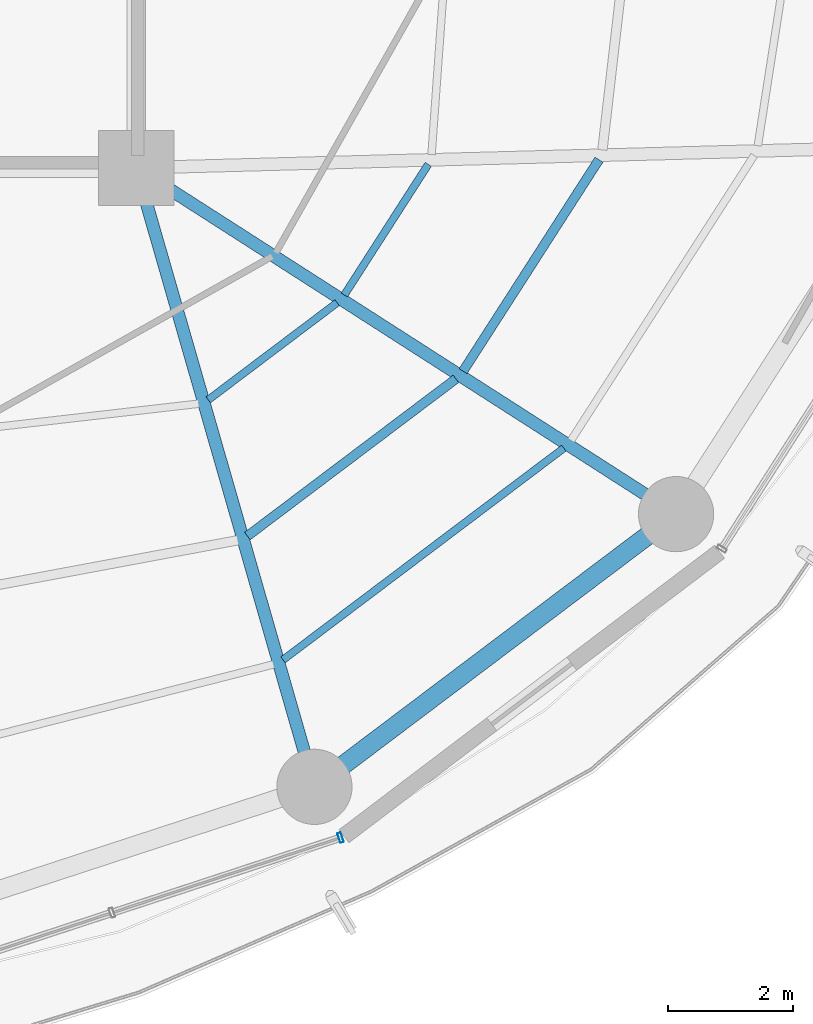
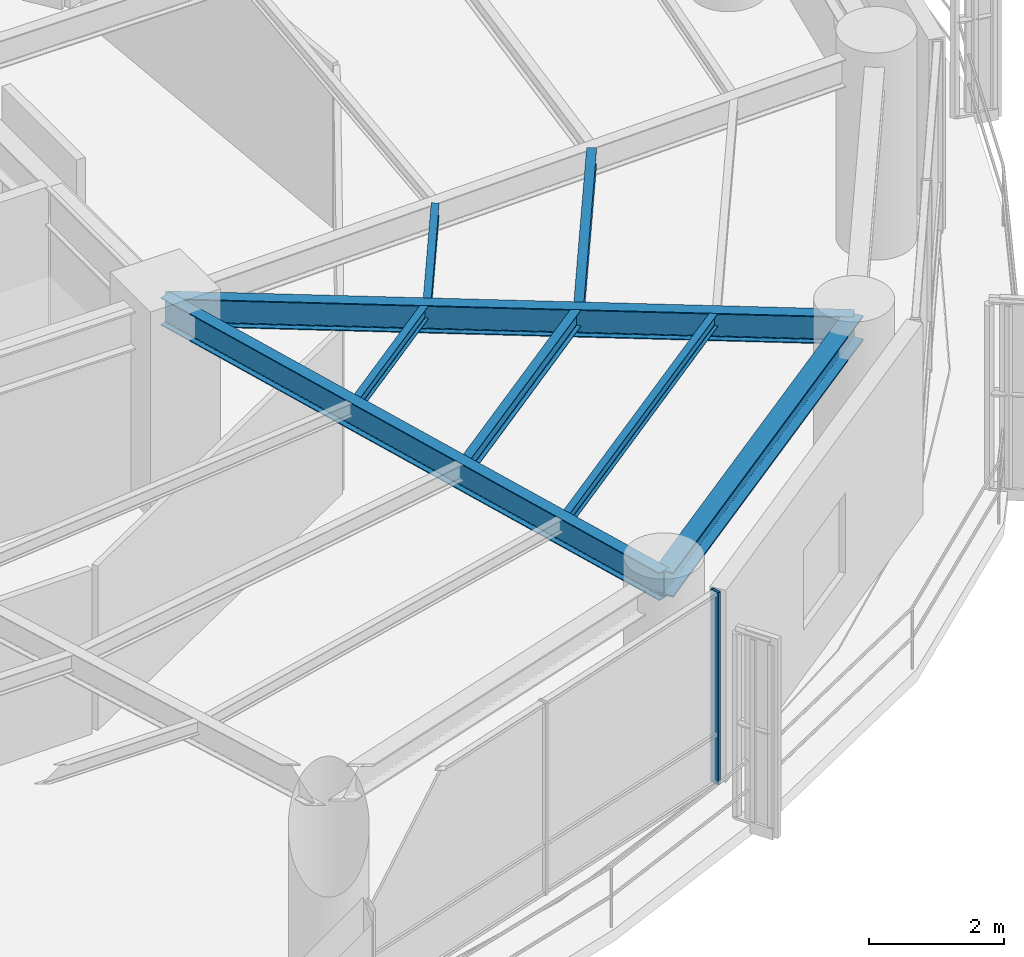
# One storey, part 10 of 27: 8 beams, 1 member, 1 element without a shape of its own.
"""IFC4 building model written with IfcOpenShell, lengths in metres."""

import ifcopenshell
import ifcopenshell.guid

model = None  # the IFC model being written
_history = None  # IfcOwnerHistory: only IFC2X3 demands one
_inside = {}  # id of a spatial element -> (the spatial element, [elements in it])
_under = {}  # id of a project, library or spatial element -> (it, [spatial elements below it])
_declared = {}  # id of a project -> (the project, [libraries it declares])
_typed = {}  # id of a type object -> (the type object, [elements of that type])
_made_of = {}  # id of a material, layer set ... -> (it, [elements and type objects made of it])


def new_model(schema):
    """Start an empty IFC model of exactly this schema.

    Asked for "IFC4X3", IfcOpenShell would pick the latest addendum, in which some entities
    have other attributes; the version numbers below select the first issue.
    IFC2X3 requires an IfcOwnerHistory on every rooted entity: one is made here for all.
    """
    global model, _history
    if schema == "IFC4X3":
        model = ifcopenshell.file(schema_version=(4, 3, 0, 0))
    else:
        model = ifcopenshell.file(schema=schema)
    _inside.clear()
    _under.clear()
    _declared.clear()
    _typed.clear()
    _made_of.clear()
    _history = None
    if model.schema == "IFC2X3":
        org = make("IfcOrganization", Name="unknown")
        user = make(
            "IfcPersonAndOrganization",
            ThePerson=make("IfcPerson", FamilyName="unknown"),
            TheOrganization=org,
        )
        app = make(
            "IfcApplication",
            ApplicationDeveloper=org,
            Version="unknown",
            ApplicationFullName="unknown",
            ApplicationIdentifier="unknown",
        )
        _history = make(
            "IfcOwnerHistory",
            OwningUser=user,
            OwningApplication=app,
            ChangeAction="ADDED",
            CreationDate=0,
        )
    return model


def make(cls, **values):
    """One entity of the class cls with the attributes given. An attribute that is None is left unset."""
    return model.create_entity(
        cls, **{name: value for name, value in values.items() if value is not None}
    )


def rooted(cls, **values):
    """An entity with a GlobalId (a new one), such as an element, a storey or a relation."""
    return make(cls, GlobalId=ifcopenshell.guid.new(), OwnerHistory=_history, **values)


def si_unit(unit_type, name, prefix=None):
    """IfcSIUnit, for example si_unit("LENGTHUNIT", "METRE", prefix="MILLI")."""
    return make("IfcSIUnit", UnitType=unit_type, Prefix=prefix, Name=name)


def assignment(units):
    """IfcUnitAssignment: the units of a project."""
    return None if units is None else make("IfcUnitAssignment", Units=units)


def point(xyz):
    """IfcCartesianPoint."""
    return None if xyz is None else make("IfcCartesianPoint", Coordinates=xyz)


def direction(xyz):
    """IfcDirection."""
    return None if xyz is None else make("IfcDirection", DirectionRatios=xyz)


def frame(location, z_axis=None, x_axis=None):
    """IfcAxis2Placement3D, a coordinate frame: its origin and axes. An axis left out is left unset."""
    return make(
        "IfcAxis2Placement3D",
        Location=point(location),
        Axis=direction(z_axis),
        RefDirection=direction(x_axis),
    )


def frame_2d(location, x_axis=None):
    """IfcAxis2Placement2D, a coordinate frame in the plane: its origin and x axis."""
    return make(
        "IfcAxis2Placement2D", Location=point(location), RefDirection=direction(x_axis)
    )


def origin():
    """The frame at (0, 0, 0) with its axes left unset."""
    return frame((0.0, 0.0, 0.0))


def origin_2d():
    """The frame at (0, 0) in the plane with its x axis left unset."""
    return frame_2d((0.0, 0.0))


def place(relative_to, where):
    """IfcLocalPlacement: puts the frame where relative to a parent placement (None: the world)."""
    return make(
        "IfcLocalPlacement", PlacementRelTo=relative_to, RelativePlacement=where
    )


def context(
    kind, dimensions, precision=None, world=None, true_north=None, identifier=None
):
    """IfcGeometricRepresentationContext, for example the 3D "Model" context."""
    return make(
        "IfcGeometricRepresentationContext",
        ContextIdentifier=identifier,
        ContextType=kind,
        CoordinateSpaceDimension=dimensions,
        Precision=precision,
        WorldCoordinateSystem=world,
        TrueNorth=true_north,
    )


def subcontext(parent, identifier, kind, view, scale=None):
    """IfcGeometricRepresentationSubContext, for example "Body" below "Model"."""
    return make(
        "IfcGeometricRepresentationSubContext",
        ContextIdentifier=identifier,
        ContextType=kind,
        ParentContext=parent,
        TargetScale=scale,
        TargetView=view,
    )


def project(units=None, contexts=None):
    """IfcProject with its units and contexts."""
    return rooted(
        "IfcProject",
        Name="project",
        RepresentationContexts=contexts,
        UnitsInContext=assignment(units),
    )


def spatial(cls, under=None, at=None, **own):
    """A site, building, storey or space (cls), placed at a placement, below another one or the project."""
    s = rooted(cls, ObjectPlacement=at, **own)
    if under is not None:
        _under.setdefault(under.id(), (under, []))[1].append(s)
    return s


def profile(cls, at=None, kind="AREA", **sizes):
    """A parametric profile (cls). Its sizes go by their IFC names, for example OverallWidth=200.0."""
    return make(cls, ProfileType=kind, Position=at, **sizes)


def hollow_rectangle(**sizes):
    """IfcRectangleHollowProfileDef."""
    return profile("IfcRectangleHollowProfileDef", **sizes)


def i_section(**sizes):
    """IfcIShapeProfileDef."""
    return profile("IfcIShapeProfileDef", **sizes)


def extrude(swept, where, along, depth):
    """IfcExtrudedAreaSolid: the profile swept, set in the frame where, extruded along a direction by depth."""
    return make(
        "IfcExtrudedAreaSolid",
        SweptArea=swept,
        Position=where,
        ExtrudedDirection=direction(along),
        Depth=depth,
    )


def shape(context_of_items, identifier, shape_type, items):
    """IfcShapeRepresentation: the items that make up one representation, for example the "Body"."""
    return make(
        "IfcShapeRepresentation",
        ContextOfItems=context_of_items,
        RepresentationIdentifier=identifier,
        RepresentationType=shape_type,
        Items=items,
    )


def material(Name=None, Category=None):
    """IfcMaterial."""
    return make("IfcMaterial", Name=Name, Category=Category)


def layer(
    of_material, thickness, ventilated=None, Name=None, Category=None, Priority=None
):
    """IfcMaterialLayer: one layer of a wall or slab, of a material (None: an air gap)."""
    return make(
        "IfcMaterialLayer",
        Material=of_material,
        LayerThickness=thickness,
        IsVentilated=ventilated,
        Name=Name,
        Category=Category,
        Priority=Priority,
    )


def layer_set(layers, Name=None):
    """IfcMaterialLayerSet."""
    return make("IfcMaterialLayerSet", MaterialLayers=layers, LayerSetName=Name)


def material_profile(
    of_material, cross_section, Name=None, Category=None, Priority=None
):
    """IfcMaterialProfile: a cross section and its material."""
    return make(
        "IfcMaterialProfile",
        Name=Name,
        Material=of_material,
        Profile=cross_section,
        Priority=Priority,
        Category=Category,
    )


def profile_set(profiles, Name=None, composite=None):
    """IfcMaterialProfileSet."""
    return make(
        "IfcMaterialProfileSet",
        Name=Name,
        MaterialProfiles=profiles,
        CompositeProfile=composite,
    )


def made_of(thing, what):
    """Note that an element or type object is made of a material, layer set ...; save() writes the relation."""
    if what is not None:
        _made_of.setdefault(what.id(), (what, []))[1].append(thing)
    return thing


def type_object(cls, material=None, **own):
    """A type object (cls), such as IfcWallType, which elements share."""
    return made_of(rooted(cls, **own), material)


def element(
    cls,
    number,
    at=None,
    inside=None,
    cuts=None,
    type_object=None,
    material=None,
    context=None,
    identifier="Body",
    shape_type=None,
    held_by="IfcProductDefinitionShape",
    body=None,
    shapes=None,
    **own,
):
    """One element of the class cls, such as IfcWall. Its Tag is "e" and its number.

    at: its placement. inside: the storey or other place that contains it. cuts: it is an
    opening in that element (IfcRelVoidsElement). A single representation is given by context,
    identifier, shape_type and body (its items); several are given by shapes. held_by: the class
    of the entity that holds the representations. save() writes the other relations.
    """
    e = rooted(cls, Tag="e%d" % number, ObjectPlacement=at, **own)
    if body is not None:
        shapes = [shape(context, identifier, shape_type, body)]
    if shapes is not None:
        e.Representation = make(held_by, Representations=shapes)
    if inside is not None:
        _inside.setdefault(inside.id(), (inside, []))[1].append(e)
    if cuts is not None:
        rooted(
            "IfcRelVoidsElement", RelatingBuildingElement=cuts, RelatedOpeningElement=e
        )
    if type_object is not None:
        _typed.setdefault(type_object.id(), (type_object, []))[1].append(e)
    return made_of(e, material)


def aggregate(whole, parts):
    """IfcRelAggregates: a whole, such as a stair, and the parts it consists of."""
    return rooted("IfcRelAggregates", RelatingObject=whole, RelatedObjects=parts)


def save(model, path):
    """Write the relations noted so far, then the file.

    IfcRelAggregates (storeys below a building ...), IfcRelContainedInSpatialStructure (elements
    in a storey), IfcRelDefinesByType, IfcRelAssociatesMaterial and IfcRelDeclares: one each for
    every whole, place, type object, material and project.
    """
    for whole, parts in _under.values():
        aggregate(whole, parts)
    for where, things in _inside.values():
        rooted(
            "IfcRelContainedInSpatialStructure",
            RelatedElements=things,
            RelatingStructure=where,
        )
    for kind, things in _typed.values():
        rooted("IfcRelDefinesByType", RelatedObjects=things, RelatingType=kind)
    for what, things in _made_of.values():
        rooted("IfcRelAssociatesMaterial", RelatedObjects=things, RelatingMaterial=what)
    for by, libraries in _declared.values():
        rooted("IfcRelDeclares", RelatingContext=by, RelatedDefinitions=libraries)
    model.write(path)


model = new_model("IFC4")

# Units and contexts
model_context = context("Model", 3, precision=1e-05, world=origin(), true_north=direction((0.0, 1.0)))
body_context = subcontext(model_context, "Body", "Model", "MODEL_VIEW")
ifc_project = project(units=[si_unit("LENGTHUNIT", "METRE"), si_unit("AREAUNIT", "SQUARE_METRE"), si_unit("VOLUMEUNIT", "CUBIC_METRE"), si_unit("PLANEANGLEUNIT", "RADIAN"), si_unit("MASSUNIT", "GRAM", prefix="KILO")], contexts=[model_context])

# Site, building, storey
site_placement = place(None, origin())
site = spatial("IfcSite", under=ifc_project, at=site_placement, CompositionType="ELEMENT")
building_placement = place(site_placement, origin())
building = spatial("IfcBuilding", under=site, at=building_placement, Name="Kelanora Arch Commons", CompositionType="ELEMENT")
storey_placement = place(building_placement, frame((0.0, 0.0, 169.35009765625)))
storey = spatial("IfcBuildingStorey", under=building, at=storey_placement, Name="L43", CompositionType="ELEMENT", Elevation=169.35009765625)

# Beams
ifc_material_1 = material(Name="Steel S355", Category="steel")
ifc_material_profile_1 = material_profile(ifc_material_1, i_section(OverallWidth=0.14990234375, OverallDepth=0.300048828125, WebThickness=0.007080078125, FlangeThickness=0.0107421875, FilletRadius=0.014892578125, at=origin_2d()), Name="IPE300")
ifc_profile_set_1 = profile_set([ifc_material_profile_1], Name="Steel S355")
beam_type_1 = type_object("IfcBeamType", Name="BM-JST-01", PredefinedType="JOIST", material=ifc_profile_set_1)
beam_1_placement = place(storey_placement, frame((83.77197265625, 45.129150390625, 3.33984375), z_axis=(0.798463547891, 0.602043156833, 0.0), x_axis=(-0.602043156833, 0.798463547891, 0.0)))
element("IfcBeam", 1, at=beam_1_placement, inside=storey, type_object=beam_type_1, Name="Secondary Chord Joist BJB-30 L43", PredefinedType="JOIST", context=body_context, shape_type="SweptSolid", body=[
    extrude(i_section(OverallWidth=0.14990234375, OverallDepth=0.300048828125, WebThickness=0.007080078125, FlangeThickness=0.0107421875, FilletRadius=0.014892578125, at=origin_2d()), origin(), (0.0, 0.0, 1.0), 4.163818359375),
])
beam_2_placement = place(storey_placement, frame((87.210693359375, 47.758544921875, 3.33984375), z_axis=(0.540594434398, 0.841283339606, 0.0), x_axis=(-0.841283339606, 0.540594434398, 0.0)))
element("IfcBeam", 2, at=beam_2_placement, inside=storey, type_object=beam_type_1, Name="Secondary Chord Joist BJB-32 L43", PredefinedType="JOIST", context=body_context, shape_type="SweptSolid", body=[
    extrude(i_section(OverallWidth=0.14990234375, OverallDepth=0.300048828125, WebThickness=0.007080078125, FlangeThickness=0.0107421875, FilletRadius=0.014892578125, at=origin_2d()), origin(), (0.0, 0.0, 1.0), 4.008544921875),
])
ifc_material_profile_2 = material_profile(ifc_material_1, i_section(OverallWidth=0.1201171875, OverallDepth=0.239990234375, WebThickness=0.006103515625, FlangeThickness=0.009765625, FilletRadius=0.014892578125, at=origin_2d()), Name="IPE240")
ifc_profile_set_2 = profile_set([ifc_material_profile_2], Name="Steel S355")
beam_type_2 = type_object("IfcBeamType", Name="BM-JST-02", PredefinedType="JOIST", material=ifc_profile_set_2)
beam_3_placement = place(storey_placement, frame((83.147216796875, 47.300537109375, 3.369873046875), z_axis=(0.798484118859, 0.602015873487, 0.0), x_axis=(-0.602015873487, 0.798484118859, 0.0)))
element("IfcBeam", 3, at=beam_3_placement, inside=storey, type_object=beam_type_2, Name="Secondary Chord Joist BJA-30 L43", PredefinedType="JOIST", context=body_context, shape_type="SweptSolid", body=[
    extrude(i_section(OverallWidth=0.1201171875, OverallDepth=0.239990234375, WebThickness=0.006103515625, FlangeThickness=0.009765625, FilletRadius=0.014892578125, at=origin_2d()), origin(), (0.0, 0.0, 1.0), 2.57470703125),
])
beam_4_placement = place(storey_placement, frame((84.33984375, 43.155029296875, 3.369873046875), z_axis=(0.798493128577, 0.602003923256, 0.0), x_axis=(-0.602003923256, 0.798493128577, 0.0)))
element("IfcBeam", 4, at=beam_4_placement, inside=storey, type_object=beam_type_2, Name="Secondary Chord Joist BJC-30 L43", PredefinedType="JOIST", context=body_context, shape_type="SweptSolid", body=[
    extrude(i_section(OverallWidth=0.1201171875, OverallDepth=0.239990234375, WebThickness=0.006103515625, FlangeThickness=0.009765625, FilletRadius=0.014892578125, at=origin_2d()), origin(), (0.0, 0.0, 1.0), 5.608642578125),
])
beam_5_placement = place(storey_placement, frame((85.31689453125, 48.973388671875, 3.369873046875), z_axis=(0.540583174025, 0.841290575224, 0.0), x_axis=(-0.841290575224, 0.540583174025, 0.0)))
element("IfcBeam", 5, at=beam_5_placement, inside=storey, type_object=beam_type_2, Name="Secondary Chord Joist BJA-32 L43", PredefinedType="JOIST", context=body_context, shape_type="SweptSolid", body=[
    extrude(i_section(OverallWidth=0.1201171875, OverallDepth=0.239990234375, WebThickness=0.006103515625, FlangeThickness=0.009765625, FilletRadius=0.014892578125, at=origin_2d()), origin(), (0.0, 0.0, 1.0), 2.476318359375),
])
ifc_material_profile_3 = material_profile(ifc_material_1, i_section(OverallWidth=0.199951171875, OverallDepth=0.5, WebThickness=0.01025390625, FlangeThickness=0.01611328125, FilletRadius=0.02099609375, at=origin_2d()), Name="IPE500")
ifc_profile_set_3 = profile_set([ifc_material_profile_3], Name="Steel S355")
beam_type_3 = type_object("IfcBeamType", Name="BM-RAD-Z3", PredefinedType="BEAM", material=ifc_profile_set_3)
beam_6_placement = place(storey_placement, frame((82.0, 51.0, 3.239990234375), z_axis=(0.276525880065, -0.961006471182, 0.0), x_axis=(0.961006471182, 0.276525880065, 0.0)))
element("IfcBeam", 6, at=beam_6_placement, inside=storey, type_object=beam_type_3, Name="Radial Floor Girder BR-30 L43", PredefinedType="BEAM", context=body_context, shape_type="SweptSolid", body=[
    extrude(i_section(OverallWidth=0.199951171875, OverallDepth=0.5, WebThickness=0.01025390625, FlangeThickness=0.01611328125, FilletRadius=0.02099609375, at=origin_2d()), origin(), (0.0, 0.0, 1.0), 10.2705078125),
])
beam_7_placement = place(storey_placement, frame((82.0, 51.0, 3.239990234375), z_axis=(0.841719465748, -0.539915123868, 0.0), x_axis=(0.539915123868, 0.841719465748, 0.0)))
element("IfcBeam", 7, at=beam_7_placement, inside=storey, type_object=beam_type_3, Name="Radial Floor Girder BR-32 L43", PredefinedType="BEAM", context=body_context, shape_type="SweptSolid", body=[
    extrude(i_section(OverallWidth=0.199951171875, OverallDepth=0.5, WebThickness=0.01025390625, FlangeThickness=0.01611328125, FilletRadius=0.02099609375, at=origin_2d()), origin(), (0.0, 0.0, 1.0), 10.2265625),
])
ifc_material_profile_4 = material_profile(ifc_material_1, i_section(OverallWidth=0.300048828125, OverallDepth=0.449951171875, WebThickness=0.013916015625, FlangeThickness=0.02587890625, FilletRadius=0.027099609375, at=origin_2d()), Name="HEB450")
ifc_profile_set_4 = profile_set([ifc_material_profile_4], Name="Steel S355")
beam_type_4 = type_object("IfcBeamType", Name="BM-SPN-Z3", PredefinedType="SPANDREL", material=ifc_profile_set_4)
beam_8_placement = place(storey_placement, frame((84.840087890625, 41.1298828125, 3.264892578125), z_axis=(0.798484645564, 0.60201517489, 0.0), x_axis=(-0.60201517489, 0.798484645564, 0.0)))
element("IfcBeam", 8, at=beam_8_placement, inside=storey, type_object=beam_type_4, Name="Perimeter Spandrel Beam BS-30 L43", PredefinedType="SPANDREL", context=body_context, shape_type="SweptSolid", body=[
    extrude(i_section(OverallWidth=0.300048828125, OverallDepth=0.449951171875, WebThickness=0.013916015625, FlangeThickness=0.02587890625, FilletRadius=0.027099609375, at=origin_2d()), origin(), (0.0, 0.0, 1.0), 7.223388671875),
])

# Curtain wall, member
ifc_material_2 = material(Name="Terracotta ceramic-fritted low-E glass and aluminium", Category="masonry")
ifc_layer = layer(ifc_material_2, 0.175048828125)
ifc_layer_set = layer_set([ifc_layer], Name="Terracotta ceramic-fritted low-E glass and aluminium")
curtain_wall_type = type_object("IfcCurtainWallType", Name="CW-SYS-02", PredefinedType="NOTDEFINED", material=ifc_layer_set)
curtain_wall_placement = place(storey_placement, origin())
curtain_wall = element("IfcCurtainWall", 9, at=curtain_wall_placement, inside=storey, type_object=curtain_wall_type, Name="Unitised Curtain Wall L43-B14", PredefinedType="NOTDEFINED")
ifc_material_3 = material(Name="Powder-coated aluminium terracotta", Category="masonry")
ifc_material_profile_5 = material_profile(ifc_material_3, hollow_rectangle(XDim=0.159912109375, YDim=0.06005859375, WallThickness=0.0048828125, InnerFilletRadius=0.0048828125, OuterFilletRadius=0.010009765625, at=origin_2d()), Name="CWM160x60")
ifc_profile_set_5 = profile_set([ifc_material_profile_5], Name="Powder-coated aluminium terracotta")
member_type = type_object("IfcMemberType", Name="CWM-STD", PredefinedType="MULLION", material=ifc_profile_set_5)
member_placement = place(storey_placement, frame((85.257080078125, 40.319091796875, 0.0), z_axis=(0.0, 0.0, 1.0), x_axis=(-0.312128279571, 0.95003996605, 0.0)))
member = element("IfcMember", 10, at=member_placement, type_object=member_type, Name="CW-02 mullion 3", PredefinedType="MULLION", context=body_context, shape_type="SweptSolid", body=[
    extrude(hollow_rectangle(XDim=0.159912109375, YDim=0.06005859375, WallThickness=0.0048828125, InnerFilletRadius=0.0048828125, OuterFilletRadius=0.010009765625, at=origin_2d()), origin(), (0.0, 0.0, 1.0), 3.474853515625),
])
aggregate(curtain_wall, [member])

save(model, "model.ifc")
